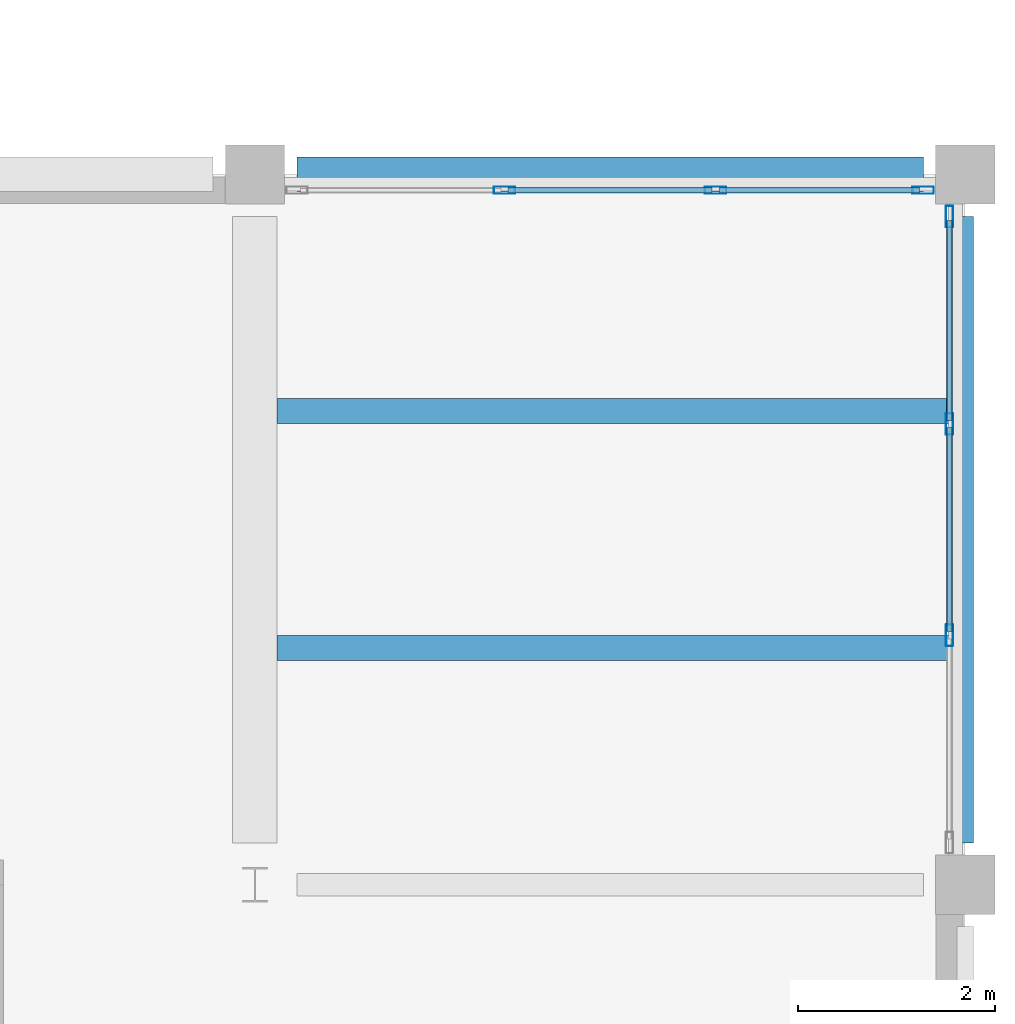
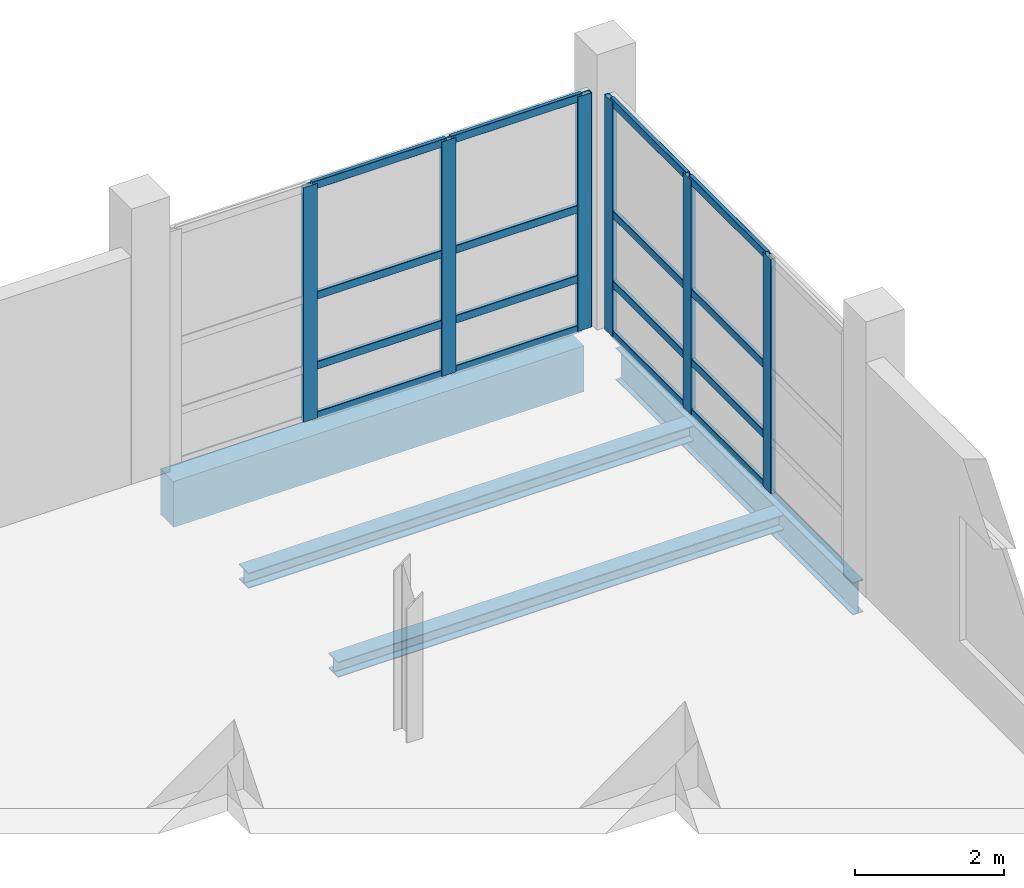
# One storey, part 73 of 123: 22 members, 4 beams, 2 elements without a shape of their own.
"""IFC4 building model written with IfcOpenShell, lengths in metres."""

from ifc_helpers import new_model, si_unit, direction, frame, origin, origin_2d, place, context, subcontext, project, spatial, rectangle, hollow_rectangle, i_section, extrude, material, material_profile, profile_set, type_object, element, aggregate, save


model = new_model("IFC4")

# Units and contexts
model_context = context("Model", 3, precision=1e-05, world=origin(), true_north=direction((0.0, 1.0)))
body_context = subcontext(model_context, "Body", "Model", "MODEL_VIEW")
ifc_project = project(units=[si_unit("LENGTHUNIT", "METRE"), si_unit("AREAUNIT", "SQUARE_METRE"), si_unit("VOLUMEUNIT", "CUBIC_METRE"), si_unit("PLANEANGLEUNIT", "RADIAN"), si_unit("MASSUNIT", "GRAM", prefix="KILO")], contexts=[model_context])

# Site, building, storey
site_placement = place(None, origin())
site = spatial("IfcSite", under=ifc_project, at=site_placement, CompositionType="ELEMENT")
building_placement = place(site_placement, origin())
building = spatial("IfcBuilding", under=site, at=building_placement, Name="Kalmorath City Hall", CompositionType="ELEMENT")
storey_placement = place(building_placement, frame((0.0, 0.0, 10.199951171875)))
storey = spatial("IfcBuildingStorey", under=building, at=storey_placement, Name="L02", CompositionType="ELEMENT", Elevation=10.199951171875)

# Curtain wall, members
ifc_material_1 = material(Name="Anodised aluminium and laminated glass", Category="aluminium")
curtain_wall_type = type_object("IfcCurtainWallType", Name="Unitised hurricane curtain wall 6420x3835 M1850", PredefinedType="NOTDEFINED", material=ifc_material_1)
curtain_wall_1_placement = place(storey_placement, origin())
curtain_wall_1 = element("IfcCurtainWall", 1, at=curtain_wall_1_placement, inside=storey, type_object=curtain_wall_type, Name="L02 curtain wall CW-64X38M18 #116", PredefinedType="NOTDEFINED")
ifc_material_2 = material(Name="Anodised aluminium framing", Category="aluminium")
ifc_material_profile_1 = material_profile(ifc_material_2, hollow_rectangle(XDim=0.06005859375, YDim=0.1298828125, WallThickness=0.00341796875, InnerFilletRadius=0.00341796875, OuterFilletRadius=0.007080078125, at=origin_2d()), Name="ALU-TRN-130X60X3.5")
ifc_profile_set_1 = profile_set([ifc_material_profile_1], Name="Anodised aluminium framing")
member_type_1 = type_object("IfcMemberType", Name="Curtain-wall courtyard transom 130x60", PredefinedType="USERDEFINED", material=ifc_profile_set_1)
member_1_placement = place(storey_placement, frame((160.967529296875, 100.639892578125, 0.030029296875), z_axis=(1.0, 0.0, 0.0), x_axis=(0.0, 1.0, 0.0)))
member_1 = element("IfcMember", 2, at=member_1_placement, type_object=member_type_1, Name="CW-64X38M18 transom 2.1", ObjectType="TRANSOM", PredefinedType="USERDEFINED", context=body_context, shape_type="SweptSolid", body=[
    extrude(hollow_rectangle(XDim=0.06005859375, YDim=0.1298828125, WallThickness=0.00341796875, InnerFilletRadius=0.00341796875, OuterFilletRadius=0.007080078125, at=origin_2d()), origin(), (0.0, 0.0, 1.0), 2.06494140625),
])
member_2_placement = place(storey_placement, frame((160.967529296875, 100.639892578125, 0.85009765625), z_axis=(1.0, 0.0, 0.0), x_axis=(0.0, 1.0, 0.0)))
member_2 = element("IfcMember", 3, at=member_2_placement, type_object=member_type_1, Name="CW-64X38M18 transom 2.2", ObjectType="TRANSOM", PredefinedType="USERDEFINED", context=body_context, shape_type="SweptSolid", body=[
    extrude(hollow_rectangle(XDim=0.06005859375, YDim=0.1298828125, WallThickness=0.00341796875, InnerFilletRadius=0.00341796875, OuterFilletRadius=0.007080078125, at=origin_2d()), origin(), (0.0, 0.0, 1.0), 2.06494140625),
])
member_3_placement = place(storey_placement, frame((160.967529296875, 100.639892578125, 1.994140625), z_axis=(1.0, 0.0, 0.0), x_axis=(0.0, 1.0, 0.0)))
member_3 = element("IfcMember", 4, at=member_3_placement, type_object=member_type_1, Name="CW-64X38M18 transom 2.3", ObjectType="TRANSOM", PredefinedType="USERDEFINED", context=body_context, shape_type="SweptSolid", body=[
    extrude(hollow_rectangle(XDim=0.06005859375, YDim=0.1298828125, WallThickness=0.00341796875, InnerFilletRadius=0.00341796875, OuterFilletRadius=0.007080078125, at=origin_2d()), origin(), (0.0, 0.0, 1.0), 2.06494140625),
])
member_4_placement = place(storey_placement, frame((160.967529296875, 100.639892578125, 3.804931640625), z_axis=(1.0, 0.0, 0.0), x_axis=(0.0, 1.0, 0.0)))
member_4 = element("IfcMember", 5, at=member_4_placement, type_object=member_type_1, Name="CW-64X38M18 transom 2.4", ObjectType="TRANSOM", PredefinedType="USERDEFINED", context=body_context, shape_type="SweptSolid", body=[
    extrude(hollow_rectangle(XDim=0.06005859375, YDim=0.1298828125, WallThickness=0.00341796875, InnerFilletRadius=0.00341796875, OuterFilletRadius=0.007080078125, at=origin_2d()), origin(), (0.0, 0.0, 1.0), 2.06494140625),
])
member_5_placement = place(storey_placement, frame((163.107421875, 100.639892578125, 0.030029296875), z_axis=(1.0, 0.0, 0.0), x_axis=(0.0, 1.0, 0.0)))
member_5 = element("IfcMember", 6, at=member_5_placement, type_object=member_type_1, Name="CW-64X38M18 transom 3.1", ObjectType="TRANSOM", PredefinedType="USERDEFINED", context=body_context, shape_type="SweptSolid", body=[
    extrude(hollow_rectangle(XDim=0.06005859375, YDim=0.1298828125, WallThickness=0.00341796875, InnerFilletRadius=0.00341796875, OuterFilletRadius=0.007080078125, at=origin_2d()), origin(), (0.0, 0.0, 1.0), 2.027587890625),
])
member_6_placement = place(storey_placement, frame((163.107421875, 100.639892578125, 0.85009765625), z_axis=(1.0, 0.0, 0.0), x_axis=(0.0, 1.0, 0.0)))
member_6 = element("IfcMember", 7, at=member_6_placement, type_object=member_type_1, Name="CW-64X38M18 transom 3.2", ObjectType="TRANSOM", PredefinedType="USERDEFINED", context=body_context, shape_type="SweptSolid", body=[
    extrude(hollow_rectangle(XDim=0.06005859375, YDim=0.1298828125, WallThickness=0.00341796875, InnerFilletRadius=0.00341796875, OuterFilletRadius=0.007080078125, at=origin_2d()), origin(), (0.0, 0.0, 1.0), 2.027587890625),
])
member_7_placement = place(storey_placement, frame((163.107421875, 100.639892578125, 1.994140625), z_axis=(1.0, 0.0, 0.0), x_axis=(0.0, 1.0, 0.0)))
member_7 = element("IfcMember", 8, at=member_7_placement, type_object=member_type_1, Name="CW-64X38M18 transom 3.3", ObjectType="TRANSOM", PredefinedType="USERDEFINED", context=body_context, shape_type="SweptSolid", body=[
    extrude(hollow_rectangle(XDim=0.06005859375, YDim=0.1298828125, WallThickness=0.00341796875, InnerFilletRadius=0.00341796875, OuterFilletRadius=0.007080078125, at=origin_2d()), origin(), (0.0, 0.0, 1.0), 2.027587890625),
])
member_8_placement = place(storey_placement, frame((163.107421875, 100.639892578125, 3.804931640625), z_axis=(1.0, 0.0, 0.0), x_axis=(0.0, 1.0, 0.0)))
member_8 = element("IfcMember", 9, at=member_8_placement, type_object=member_type_1, Name="CW-64X38M18 transom 3.4", ObjectType="TRANSOM", PredefinedType="USERDEFINED", context=body_context, shape_type="SweptSolid", body=[
    extrude(hollow_rectangle(XDim=0.06005859375, YDim=0.1298828125, WallThickness=0.00341796875, InnerFilletRadius=0.00341796875, OuterFilletRadius=0.007080078125, at=origin_2d()), origin(), (0.0, 0.0, 1.0), 2.027587890625),
])

curtain_wall_2_placement = place(storey_placement, origin())
curtain_wall_2 = element("IfcCurtainWall", 10, at=curtain_wall_2_placement, inside=storey, type_object=curtain_wall_type, Name="L02 curtain wall CW-64X38M18 #117", PredefinedType="NOTDEFINED")
member_9_placement = place(storey_placement, frame((165.43994140625, 100.3349609375, 0.030029296875), z_axis=(0.0, -1.0, 0.0), x_axis=(1.0, 0.0, 0.0)))
member_9 = element("IfcMember", 11, at=member_9_placement, type_object=member_type_1, Name="CW-64X38M18 transom 1.1", ObjectType="TRANSOM", PredefinedType="USERDEFINED", context=body_context, shape_type="SweptSolid", body=[
    extrude(hollow_rectangle(XDim=0.06005859375, YDim=0.1298828125, WallThickness=0.00341796875, InnerFilletRadius=0.00341796875, OuterFilletRadius=0.007080078125, at=origin_2d()), origin(), (0.0, 0.0, 1.0), 2.02734375),
])
member_10_placement = place(storey_placement, frame((165.43994140625, 100.3349609375, 0.85009765625), z_axis=(0.0, -1.0, 0.0), x_axis=(1.0, 0.0, 0.0)))
member_10 = element("IfcMember", 12, at=member_10_placement, type_object=member_type_1, Name="CW-64X38M18 transom 1.2", ObjectType="TRANSOM", PredefinedType="USERDEFINED", context=body_context, shape_type="SweptSolid", body=[
    extrude(hollow_rectangle(XDim=0.06005859375, YDim=0.1298828125, WallThickness=0.00341796875, InnerFilletRadius=0.00341796875, OuterFilletRadius=0.007080078125, at=origin_2d()), origin(), (0.0, 0.0, 1.0), 2.02734375),
])
member_11_placement = place(storey_placement, frame((165.43994140625, 100.3349609375, 1.994140625), z_axis=(0.0, -1.0, 0.0), x_axis=(1.0, 0.0, 0.0)))
member_11 = element("IfcMember", 13, at=member_11_placement, type_object=member_type_1, Name="CW-64X38M18 transom 1.3", ObjectType="TRANSOM", PredefinedType="USERDEFINED", context=body_context, shape_type="SweptSolid", body=[
    extrude(hollow_rectangle(XDim=0.06005859375, YDim=0.1298828125, WallThickness=0.00341796875, InnerFilletRadius=0.00341796875, OuterFilletRadius=0.007080078125, at=origin_2d()), origin(), (0.0, 0.0, 1.0), 2.02734375),
])
member_12_placement = place(storey_placement, frame((165.43994140625, 100.3349609375, 3.804931640625), z_axis=(0.0, -1.0, 0.0), x_axis=(1.0, 0.0, 0.0)))
member_12 = element("IfcMember", 14, at=member_12_placement, type_object=member_type_1, Name="CW-64X38M18 transom 1.4", ObjectType="TRANSOM", PredefinedType="USERDEFINED", context=body_context, shape_type="SweptSolid", body=[
    extrude(hollow_rectangle(XDim=0.06005859375, YDim=0.1298828125, WallThickness=0.00341796875, InnerFilletRadius=0.00341796875, OuterFilletRadius=0.007080078125, at=origin_2d()), origin(), (0.0, 0.0, 1.0), 2.02734375),
])
member_13_placement = place(storey_placement, frame((165.43994140625, 98.232421875, 0.030029296875), z_axis=(0.0, -1.0, 0.0), x_axis=(1.0, 0.0, 0.0)))
member_13 = element("IfcMember", 15, at=member_13_placement, type_object=member_type_1, Name="CW-64X38M18 transom 2.1", ObjectType="TRANSOM", PredefinedType="USERDEFINED", context=body_context, shape_type="SweptSolid", body=[
    extrude(hollow_rectangle(XDim=0.06005859375, YDim=0.1298828125, WallThickness=0.00341796875, InnerFilletRadius=0.00341796875, OuterFilletRadius=0.007080078125, at=origin_2d()), origin(), (0.0, 0.0, 1.0), 2.06494140625),
])
member_14_placement = place(storey_placement, frame((165.43994140625, 98.232421875, 0.85009765625), z_axis=(0.0, -1.0, 0.0), x_axis=(1.0, 0.0, 0.0)))
member_14 = element("IfcMember", 16, at=member_14_placement, type_object=member_type_1, Name="CW-64X38M18 transom 2.2", ObjectType="TRANSOM", PredefinedType="USERDEFINED", context=body_context, shape_type="SweptSolid", body=[
    extrude(hollow_rectangle(XDim=0.06005859375, YDim=0.1298828125, WallThickness=0.00341796875, InnerFilletRadius=0.00341796875, OuterFilletRadius=0.007080078125, at=origin_2d()), origin(), (0.0, 0.0, 1.0), 2.06494140625),
])
member_15_placement = place(storey_placement, frame((165.43994140625, 98.232421875, 1.994140625), z_axis=(0.0, -1.0, 0.0), x_axis=(1.0, 0.0, 0.0)))
member_15 = element("IfcMember", 17, at=member_15_placement, type_object=member_type_1, Name="CW-64X38M18 transom 2.3", ObjectType="TRANSOM", PredefinedType="USERDEFINED", context=body_context, shape_type="SweptSolid", body=[
    extrude(hollow_rectangle(XDim=0.06005859375, YDim=0.1298828125, WallThickness=0.00341796875, InnerFilletRadius=0.00341796875, OuterFilletRadius=0.007080078125, at=origin_2d()), origin(), (0.0, 0.0, 1.0), 2.06494140625),
])
member_16_placement = place(storey_placement, frame((165.43994140625, 98.232421875, 3.804931640625), z_axis=(0.0, -1.0, 0.0), x_axis=(1.0, 0.0, 0.0)))
member_16 = element("IfcMember", 18, at=member_16_placement, type_object=member_type_1, Name="CW-64X38M18 transom 2.4", ObjectType="TRANSOM", PredefinedType="USERDEFINED", context=body_context, shape_type="SweptSolid", body=[
    extrude(hollow_rectangle(XDim=0.06005859375, YDim=0.1298828125, WallThickness=0.00341796875, InnerFilletRadius=0.00341796875, OuterFilletRadius=0.007080078125, at=origin_2d()), origin(), (0.0, 0.0, 1.0), 2.06494140625),
])

# Member
ifc_material_3 = material(Name="Anodised aluminium framing", Category="aluminium")
ifc_material_profile_2 = material_profile(ifc_material_3, hollow_rectangle(XDim=0.074951171875, YDim=0.219970703125, WallThickness=0.00390625, InnerFilletRadius=0.00390625, OuterFilletRadius=0.008056640625, at=origin_2d()), Name="ALU-MUL-220X75X4")
ifc_profile_set_2 = profile_set([ifc_material_profile_2], Name="Anodised aluminium framing")
member_type_2 = type_object("IfcMemberType", Name="Curtain-wall primary mullion 220x75", PredefinedType="MULLION", material=ifc_profile_set_2)
member_17_placement = place(storey_placement, frame((160.929931640625, 100.639892578125, 0.0), z_axis=(0.0, 0.0, 1.0), x_axis=(0.0, 1.0, 0.0)))
member_17 = element("IfcMember", 19, at=member_17_placement, type_object=member_type_2, Name="CW-64X38M18 mullion 2", PredefinedType="MULLION", context=body_context, shape_type="SweptSolid", body=[
    extrude(hollow_rectangle(XDim=0.074951171875, YDim=0.219970703125, WallThickness=0.00390625, InnerFilletRadius=0.00390625, OuterFilletRadius=0.008056640625, at=origin_2d()), origin(), (0.0, 0.0, 1.0), 3.8349609375),
])

member_18_placement = place(storey_placement, frame((163.070068359375, 100.639892578125, 0.0), z_axis=(0.0, 0.0, 1.0), x_axis=(0.0, 1.0, 0.0)))
member_18 = element("IfcMember", 20, at=member_18_placement, type_object=member_type_2, Name="CW-64X38M18 mullion 3", PredefinedType="MULLION", context=body_context, shape_type="SweptSolid", body=[
    extrude(hollow_rectangle(XDim=0.074951171875, YDim=0.219970703125, WallThickness=0.00390625, InnerFilletRadius=0.00390625, OuterFilletRadius=0.008056640625, at=origin_2d()), origin(), (0.0, 0.0, 1.0), 3.8349609375),
])

member_19_placement = place(storey_placement, frame((165.172607421875, 100.639892578125, 0.0), z_axis=(0.0, 0.0, 1.0), x_axis=(0.0, 1.0, 0.0)))
member_19 = element("IfcMember", 21, at=member_19_placement, type_object=member_type_2, Name="CW-64X38M18 mullion 4", PredefinedType="MULLION", context=body_context, shape_type="SweptSolid", body=[
    extrude(hollow_rectangle(XDim=0.074951171875, YDim=0.219970703125, WallThickness=0.00390625, InnerFilletRadius=0.00390625, OuterFilletRadius=0.008056640625, at=origin_2d()), origin(), (0.0, 0.0, 1.0), 3.8349609375),
])

aggregate(curtain_wall_1, [member_17, member_18, member_19, member_1, member_2, member_3, member_4, member_5, member_6, member_7, member_8])

member_20_placement = place(storey_placement, frame((165.43994140625, 100.37255859375, 0.0), z_axis=(0.0, 0.0, 1.0), x_axis=(1.0, 0.0, 0.0)))
member_20 = element("IfcMember", 22, at=member_20_placement, type_object=member_type_2, Name="CW-64X38M18 mullion 1", PredefinedType="MULLION", context=body_context, shape_type="SweptSolid", body=[
    extrude(hollow_rectangle(XDim=0.074951171875, YDim=0.219970703125, WallThickness=0.00390625, InnerFilletRadius=0.00390625, OuterFilletRadius=0.008056640625, at=origin_2d()), origin(), (0.0, 0.0, 1.0), 3.8349609375),
])

member_21_placement = place(storey_placement, frame((165.43994140625, 98.27001953125, 0.0), z_axis=(0.0, 0.0, 1.0), x_axis=(1.0, 0.0, 0.0)))
member_21 = element("IfcMember", 23, at=member_21_placement, type_object=member_type_2, Name="CW-64X38M18 mullion 2", PredefinedType="MULLION", context=body_context, shape_type="SweptSolid", body=[
    extrude(hollow_rectangle(XDim=0.074951171875, YDim=0.219970703125, WallThickness=0.00390625, InnerFilletRadius=0.00390625, OuterFilletRadius=0.008056640625, at=origin_2d()), origin(), (0.0, 0.0, 1.0), 3.8349609375),
])

member_22_placement = place(storey_placement, frame((165.43994140625, 96.1298828125, 0.0), z_axis=(0.0, 0.0, 1.0), x_axis=(1.0, 0.0, 0.0)))
member_22 = element("IfcMember", 24, at=member_22_placement, type_object=member_type_2, Name="CW-64X38M18 mullion 3", PredefinedType="MULLION", context=body_context, shape_type="SweptSolid", body=[
    extrude(hollow_rectangle(XDim=0.074951171875, YDim=0.219970703125, WallThickness=0.00390625, InnerFilletRadius=0.00390625, OuterFilletRadius=0.008056640625, at=origin_2d()), origin(), (0.0, 0.0, 1.0), 3.8349609375),
])

aggregate(curtain_wall_2, [member_20, member_21, member_22, member_9, member_10, member_11, member_12, member_13, member_14, member_15, member_16])

# Beams
ifc_material_4 = material(Name="Precast concrete C40/50", Category="concrete")
ifc_material_profile_3 = material_profile(ifc_material_4, rectangle(XDim=0.35009765625, YDim=0.75, at=origin_2d()), Name="PC-SP-350X750")
ifc_profile_set_3 = profile_set([ifc_material_profile_3], Name="Precast concrete C40/50")
beam_type_1 = type_object("IfcBeamType", Name="Precast spandrel lintel 350x750", PredefinedType="LINTEL", material=ifc_profile_set_3)
beam_1_placement = place(storey_placement, frame((158.824951171875, 100.800048828125, -0.658935546875), z_axis=(1.0, 0.0, 0.0), x_axis=(0.0, 1.0, 0.0)))
element("IfcBeam", 25, at=beam_1_placement, inside=storey, type_object=beam_type_1, Name="L02 girder PSB1 X23-24/15", PredefinedType="LINTEL", context=body_context, shape_type="SweptSolid", body=[
    extrude(rectangle(XDim=0.35009765625, YDim=0.75, at=origin_2d()), origin(), (0.0, 0.0, 1.0), 6.35009765625),
])
ifc_material_5 = material(Name="Steel ASTM A992 Grade 50", Category="steel")
ifc_material_profile_4 = material_profile(ifc_material_5, i_section(OverallWidth=0.1650390625, OverallDepth=0.52490234375, WebThickness=0.0087890625, FlangeThickness=0.011474609375, FilletRadius=0.014892578125, at=origin_2d()), Name="W21X44")
ifc_profile_set_4 = profile_set([ifc_material_profile_4], Name="Steel ASTM A992 Grade 50")
beam_type_2 = type_object("IfcBeamType", Name="Steel spandrel beam W21X44", PredefinedType="SPANDREL", material=ifc_profile_set_4)
beam_2_placement = place(storey_placement, frame((165.60009765625, 94.02490234375, -0.54638671875), z_axis=(0.0, 1.0, 0.0), x_axis=(-1.0, 0.0, 0.0)))
element("IfcBeam", 26, at=beam_2_placement, inside=storey, type_object=beam_type_2, Name="L02 girder SB4 Y24/14-15", PredefinedType="SPANDREL", context=body_context, shape_type="SweptSolid", body=[
    extrude(i_section(OverallWidth=0.1650390625, OverallDepth=0.52490234375, WebThickness=0.0087890625, FlangeThickness=0.011474609375, FilletRadius=0.014892578125, at=origin_2d()), origin(), (0.0, 0.0, 1.0), 6.35009765625),
])
ifc_material_6 = material(Name="Steel ASTM A992 Grade 50", Category="steel")
ifc_material_profile_5 = material_profile(ifc_material_6, i_section(OverallWidth=0.25390625, OverallDepth=0.2529296875, WebThickness=0.008544921875, FlangeThickness=0.01416015625, FilletRadius=0.011962890625, at=origin_2d()), Name="W10X49")
ifc_profile_set_5 = profile_set([ifc_material_profile_5], Name="Steel ASTM A992 Grade 50")
beam_type_3 = type_object("IfcBeamType", Name="Steel trimmer beam W10X49", PredefinedType="BEAM", material=ifc_profile_set_5)
for number, where, z_axis, x_axis, name in (
    (27, (158.625, 96.0, -0.410400390625), (1.0, 0.0, 0.0), (0.0, 1.0, 0.0), "L02 joist SJ14 23.14.1"),
    (28, (158.625, 98.39990234375, -0.410400390625), (1.0, 0.0, 0.0), (0.0, 1.0, 0.0), "L02 joist SJ14 23.14.2"),
):
    element("IfcBeam", number, at=place(storey_placement, frame(where, z_axis=z_axis, x_axis=x_axis)), inside=storey, type_object=beam_type_3, Name=name, PredefinedType="BEAM", context=body_context, shape_type="SweptSolid", body=[
        extrude(i_section(OverallWidth=0.25390625, OverallDepth=0.2529296875, WebThickness=0.008544921875, FlangeThickness=0.01416015625, FilletRadius=0.011962890625, at=origin_2d()), origin(), (0.0, 0.0, 1.0), 6.892578125),
    ])

save(model, "model.ifc")
